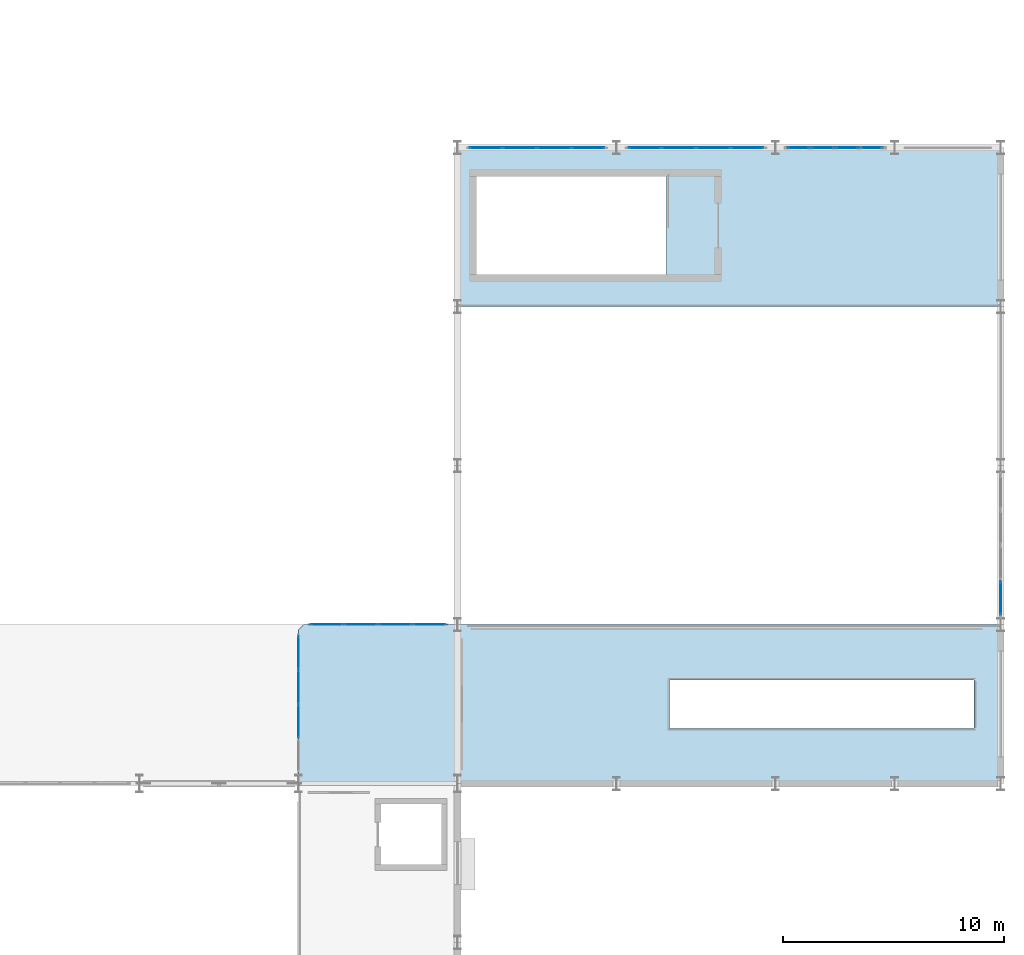
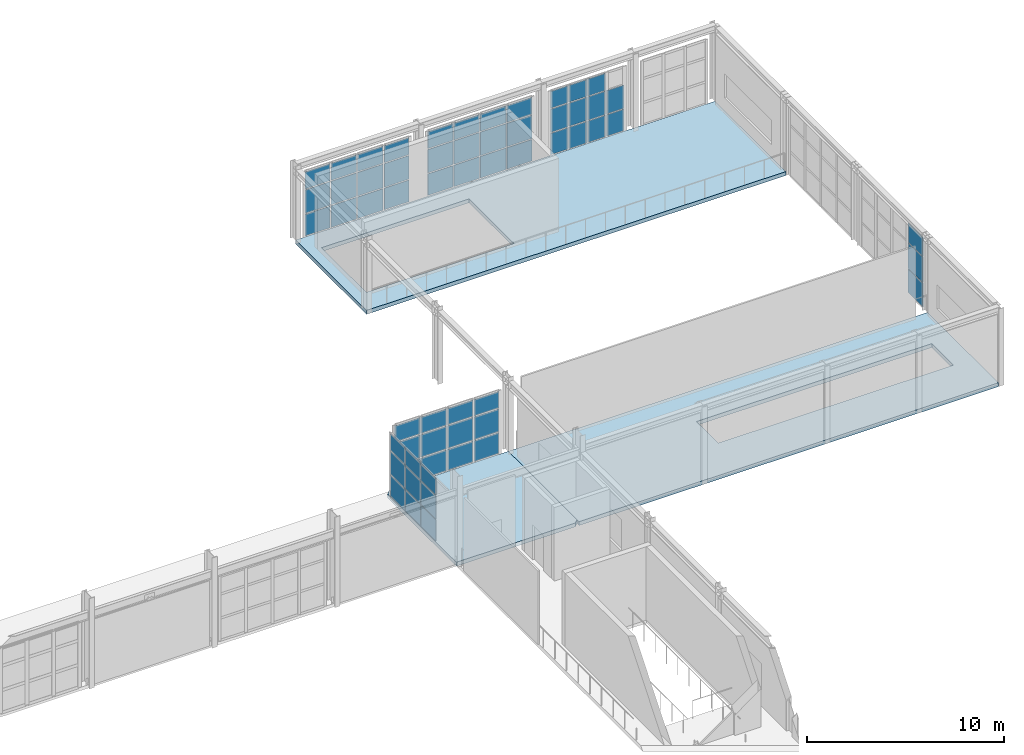
# One storey, part 96 of 126: 59 plates, 3 slabs, 6 elements without a shape of their own.
"""IFC4 building model written with IfcOpenShell, lengths in metres."""

from ifc_helpers import new_model, si_unit, direction, frame, origin, origin_2d, place, context, subcontext, project, spatial, polyline, rectangle, outline, extrude, material, layer, layer_set, type_object, element, aggregate, save


model = new_model("IFC4")

# Units and contexts
model_context = context("Model", 3, precision=1e-05, world=origin(), true_north=direction((0.0, 1.0)))
body_context = subcontext(model_context, "Body", "Model", "MODEL_VIEW")
ifc_project = project(units=[si_unit("LENGTHUNIT", "METRE"), si_unit("AREAUNIT", "SQUARE_METRE"), si_unit("VOLUMEUNIT", "CUBIC_METRE"), si_unit("PLANEANGLEUNIT", "RADIAN"), si_unit("MASSUNIT", "GRAM", prefix="KILO")], contexts=[model_context])

# Site, building, storey
site_placement = place(None, origin())
site = spatial("IfcSite", under=ifc_project, at=site_placement, CompositionType="ELEMENT")
building_placement = place(site_placement, origin())
building = spatial("IfcBuilding", under=site, at=building_placement, Name="Solvadek Multi-Sports Hall", CompositionType="ELEMENT")
storey_placement = place(building_placement, frame((0.0, 0.0, 9.60009765625)))
storey = spatial("IfcBuildingStorey", under=building, at=storey_placement, Name="L02", CompositionType="ELEMENT", Elevation=9.60009765625)

# Curtain wall, plates
ifc_material_1 = material(Name="Anodised aluminium", Category="aluminium")
ifc_layer_1 = layer(ifc_material_1, 0.159912109375, Name="Anodised aluminium")
ifc_layer_set_1 = layer_set([ifc_layer_1], Name="Anodised aluminium")
curtain_wall_type_1 = type_object("IfcCurtainWallType", Name="ENV-CW-624X400", PredefinedType="USERDEFINED", material=ifc_layer_set_1)
curtain_wall_1_placement = place(storey_placement, origin())
curtain_wall_1 = element("IfcCurtainWall", 1, at=curtain_wall_1_placement, inside=storey, type_object=curtain_wall_type_1, Name="L02 Perimeter Bay Curtain Wall #210", ObjectType="CURTAIN WALL", PredefinedType="USERDEFINED")
ifc_material_2 = material(Name="Tempered laminated low-E glass", Category="glass")
ifc_layer_2 = layer(ifc_material_2, 0.02392578125, Name="Tempered laminated low-E glass")
ifc_layer_set_2 = layer_set([ifc_layer_2], Name="Tempered laminated low-E glass")
plate_type_1 = type_object("IfcPlateType", Name="ENV-CWP-01", PredefinedType="CURTAIN_PANEL", material=ifc_layer_set_2)
plate_1_placement = place(storey_placement, frame((129.60009765625, 44.820068359375, 0.06494140625), z_axis=(0.0, 0.0, 1.0), x_axis=(0.0, 1.0, 0.0)))
plate_1 = element("IfcPlate", 2, at=plate_1_placement, type_object=plate_type_1, Name="CW-56 panel 2.1", PredefinedType="CURTAIN_PANEL", context=body_context, shape_type="SweptSolid", body=[
    extrude(rectangle(XDim=1.5, YDim=0.02392578125, at=origin_2d()), origin(), (0.0, 0.0, 1.0), 1.302490234375),
])
plate_2_placement = place(storey_placement, frame((129.60009765625, 44.820068359375, 1.432373046875), z_axis=(0.0, 0.0, 1.0), x_axis=(0.0, 1.0, 0.0)))
plate_2 = element("IfcPlate", 3, at=plate_2_placement, type_object=plate_type_1, Name="CW-56 panel 2.2", PredefinedType="CURTAIN_PANEL", context=body_context, shape_type="SweptSolid", body=[
    extrude(rectangle(XDim=1.5, YDim=0.02392578125, at=origin_2d()), origin(), (0.0, 0.0, 1.0), 1.4150390625),
])
plate_3_placement = place(storey_placement, frame((129.60009765625, 44.820068359375, 2.912353515625), z_axis=(0.0, 0.0, 1.0), x_axis=(0.0, 1.0, 0.0)))
plate_3 = element("IfcPlate", 4, at=plate_3_placement, type_object=plate_type_1, Name="CW-56 panel 2.3", PredefinedType="CURTAIN_PANEL", context=body_context, shape_type="SweptSolid", body=[
    extrude(rectangle(XDim=1.5, YDim=0.02392578125, at=origin_2d()), origin(), (0.0, 0.0, 1.0), 1.0224609375),
])
plate_4_placement = place(storey_placement, frame((129.60009765625, 46.3798828125, 0.06494140625), z_axis=(0.0, 0.0, 1.0), x_axis=(0.0, 1.0, 0.0)))
plate_4 = element("IfcPlate", 5, at=plate_4_placement, type_object=plate_type_1, Name="CW-56 panel 3.1", PredefinedType="CURTAIN_PANEL", context=body_context, shape_type="SweptSolid", body=[
    extrude(rectangle(XDim=1.5, YDim=0.02392578125, at=origin_2d()), origin(), (0.0, 0.0, 1.0), 1.302490234375),
])
plate_5_placement = place(storey_placement, frame((129.60009765625, 46.3798828125, 1.432373046875), z_axis=(0.0, 0.0, 1.0), x_axis=(0.0, 1.0, 0.0)))
plate_5 = element("IfcPlate", 6, at=plate_5_placement, type_object=plate_type_1, Name="CW-56 panel 3.2", PredefinedType="CURTAIN_PANEL", context=body_context, shape_type="SweptSolid", body=[
    extrude(rectangle(XDim=1.5, YDim=0.02392578125, at=origin_2d()), origin(), (0.0, 0.0, 1.0), 1.4150390625),
])
plate_6_placement = place(storey_placement, frame((129.60009765625, 46.3798828125, 2.912353515625), z_axis=(0.0, 0.0, 1.0), x_axis=(0.0, 1.0, 0.0)))
plate_6 = element("IfcPlate", 7, at=plate_6_placement, type_object=plate_type_1, Name="CW-56 panel 3.3", PredefinedType="CURTAIN_PANEL", context=body_context, shape_type="SweptSolid", body=[
    extrude(rectangle(XDim=1.5, YDim=0.02392578125, at=origin_2d()), origin(), (0.0, 0.0, 1.0), 1.0224609375),
])
plate_7_placement = place(storey_placement, frame((129.60009765625, 47.925048828125, 0.06494140625), z_axis=(0.0, 0.0, 1.0), x_axis=(0.0, 1.0, 0.0)))
plate_7 = element("IfcPlate", 8, at=plate_7_placement, type_object=plate_type_1, Name="CW-56 panel 4.1", PredefinedType="CURTAIN_PANEL", context=body_context, shape_type="SweptSolid", body=[
    extrude(rectangle(XDim=1.469970703125, YDim=0.02392578125, at=origin_2d()), origin(), (0.0, 0.0, 1.0), 1.302490234375),
])
plate_8_placement = place(storey_placement, frame((129.60009765625, 47.925048828125, 1.432373046875), z_axis=(0.0, 0.0, 1.0), x_axis=(0.0, 1.0, 0.0)))
plate_8 = element("IfcPlate", 9, at=plate_8_placement, type_object=plate_type_1, Name="CW-56 panel 4.2", PredefinedType="CURTAIN_PANEL", context=body_context, shape_type="SweptSolid", body=[
    extrude(rectangle(XDim=1.469970703125, YDim=0.02392578125, at=origin_2d()), origin(), (0.0, 0.0, 1.0), 1.4150390625),
])
plate_9_placement = place(storey_placement, frame((129.60009765625, 47.925048828125, 2.912353515625), z_axis=(0.0, 0.0, 1.0), x_axis=(0.0, 1.0, 0.0)))
plate_9 = element("IfcPlate", 10, at=plate_9_placement, type_object=plate_type_1, Name="CW-56 panel 4.3", PredefinedType="CURTAIN_PANEL", context=body_context, shape_type="SweptSolid", body=[
    extrude(rectangle(XDim=1.469970703125, YDim=0.02392578125, at=origin_2d()), origin(), (0.0, 0.0, 1.0), 1.0224609375),
])
aggregate(curtain_wall_1, [plate_1, plate_2, plate_3, plate_4, plate_5, plate_6, plate_7, plate_8, plate_9])

ifc_layer_3 = layer(ifc_material_1, 0.159912109375, Name="Anodised aluminium")
ifc_layer_set_3 = layer_set([ifc_layer_3], Name="Anodised aluminium")
curtain_wall_type_2 = type_object("IfcCurtainWallType", Name="ENV-CW-624X397", PredefinedType="USERDEFINED", material=ifc_layer_set_3)
curtain_wall_2_placement = place(storey_placement, origin())
curtain_wall_2 = element("IfcCurtainWall", 11, at=curtain_wall_2_placement, inside=storey, type_object=curtain_wall_type_2, Name="L02 Perimeter Bay Curtain Wall #211", ObjectType="CURTAIN WALL", PredefinedType="USERDEFINED")
ifc_layer_4 = layer(ifc_material_2, 0.028076171875, Name="Tempered laminated low-E glass")
ifc_layer_set_4 = layer_set([ifc_layer_4], Name="Tempered laminated low-E glass")
plate_type_2 = type_object("IfcPlateType", Name="ENV-CWP-02", PredefinedType="CURTAIN_PANEL", material=ifc_layer_set_4)
plate_10_placement = place(storey_placement, frame((130.876220703125, 49.199951171875, 0.06494140625), z_axis=(0.0, 0.0, 1.0), x_axis=(1.0, 0.0, 0.0)))
plate_10 = element("IfcPlate", 12, at=plate_10_placement, type_object=plate_type_2, Name="CW-57 panel 1.1", PredefinedType="CURTAIN_PANEL", context=body_context, shape_type="SweptSolid", body=[
    extrude(rectangle(XDim=1.46240234375, YDim=0.028076171875, at=origin_2d()), origin(), (0.0, 0.0, 1.0), 1.29345703125),
])
plate_11_placement = place(storey_placement, frame((130.876220703125, 49.199951171875, 1.42333984375), z_axis=(0.0, 0.0, 1.0), x_axis=(1.0, 0.0, 0.0)))
plate_11 = element("IfcPlate", 13, at=plate_11_placement, type_object=plate_type_2, Name="CW-57 panel 1.2", PredefinedType="CURTAIN_PANEL", context=body_context, shape_type="SweptSolid", body=[
    extrude(rectangle(XDim=1.46240234375, YDim=0.028076171875, at=origin_2d()), origin(), (0.0, 0.0, 1.0), 1.406005859375),
])
plate_12_placement = place(storey_placement, frame((130.876220703125, 49.199951171875, 2.89453125), z_axis=(0.0, 0.0, 1.0), x_axis=(1.0, 0.0, 0.0)))
plate_12 = element("IfcPlate", 14, at=plate_12_placement, type_object=plate_type_2, Name="CW-57 panel 1.3", PredefinedType="CURTAIN_PANEL", context=body_context, shape_type="SweptSolid", body=[
    extrude(rectangle(XDim=1.46240234375, YDim=0.028076171875, at=origin_2d()), origin(), (0.0, 0.0, 1.0), 1.015380859375),
])
plate_13_placement = place(storey_placement, frame((132.419921875, 49.199951171875, 0.06494140625), z_axis=(0.0, 0.0, 1.0), x_axis=(1.0, 0.0, 0.0)))
plate_13 = element("IfcPlate", 15, at=plate_13_placement, type_object=plate_type_2, Name="CW-57 panel 2.1", PredefinedType="CURTAIN_PANEL", context=body_context, shape_type="SweptSolid", body=[
    extrude(rectangle(XDim=1.4951171875, YDim=0.028076171875, at=origin_2d()), origin(), (0.0, 0.0, 1.0), 1.29345703125),
])
plate_14_placement = place(storey_placement, frame((132.419921875, 49.199951171875, 1.42333984375), z_axis=(0.0, 0.0, 1.0), x_axis=(1.0, 0.0, 0.0)))
plate_14 = element("IfcPlate", 16, at=plate_14_placement, type_object=plate_type_2, Name="CW-57 panel 2.2", PredefinedType="CURTAIN_PANEL", context=body_context, shape_type="SweptSolid", body=[
    extrude(rectangle(XDim=1.4951171875, YDim=0.028076171875, at=origin_2d()), origin(), (0.0, 0.0, 1.0), 1.406005859375),
])
plate_15_placement = place(storey_placement, frame((132.419921875, 49.199951171875, 2.89453125), z_axis=(0.0, 0.0, 1.0), x_axis=(1.0, 0.0, 0.0)))
plate_15 = element("IfcPlate", 17, at=plate_15_placement, type_object=plate_type_2, Name="CW-57 panel 2.3", PredefinedType="CURTAIN_PANEL", context=body_context, shape_type="SweptSolid", body=[
    extrude(rectangle(XDim=1.4951171875, YDim=0.028076171875, at=origin_2d()), origin(), (0.0, 0.0, 1.0), 1.015380859375),
])
plate_16_placement = place(storey_placement, frame((133.97998046875, 49.199951171875, 0.06494140625), z_axis=(0.0, 0.0, 1.0), x_axis=(1.0, 0.0, 0.0)))
plate_16 = element("IfcPlate", 18, at=plate_16_placement, type_object=plate_type_2, Name="CW-57 panel 3.1", PredefinedType="CURTAIN_PANEL", context=body_context, shape_type="SweptSolid", body=[
    extrude(rectangle(XDim=1.4951171875, YDim=0.028076171875, at=origin_2d()), origin(), (0.0, 0.0, 1.0), 1.29345703125),
])
plate_17_placement = place(storey_placement, frame((133.97998046875, 49.199951171875, 1.42333984375), z_axis=(0.0, 0.0, 1.0), x_axis=(1.0, 0.0, 0.0)))
plate_17 = element("IfcPlate", 19, at=plate_17_placement, type_object=plate_type_2, Name="CW-57 panel 3.2", PredefinedType="CURTAIN_PANEL", context=body_context, shape_type="SweptSolid", body=[
    extrude(rectangle(XDim=1.4951171875, YDim=0.028076171875, at=origin_2d()), origin(), (0.0, 0.0, 1.0), 1.406005859375),
])
plate_18_placement = place(storey_placement, frame((133.97998046875, 49.199951171875, 2.89453125), z_axis=(0.0, 0.0, 1.0), x_axis=(1.0, 0.0, 0.0)))
plate_18 = element("IfcPlate", 20, at=plate_18_placement, type_object=plate_type_2, Name="CW-57 panel 3.3", PredefinedType="CURTAIN_PANEL", context=body_context, shape_type="SweptSolid", body=[
    extrude(rectangle(XDim=1.4951171875, YDim=0.028076171875, at=origin_2d()), origin(), (0.0, 0.0, 1.0), 1.015380859375),
])
plate_19_placement = place(storey_placement, frame((135.523681640625, 49.199951171875, 0.06494140625), z_axis=(0.0, 0.0, 1.0), x_axis=(1.0, 0.0, 0.0)))
plate_19 = element("IfcPlate", 21, at=plate_19_placement, type_object=plate_type_2, Name="CW-57 panel 4.1", PredefinedType="CURTAIN_PANEL", context=body_context, shape_type="SweptSolid", body=[
    extrude(rectangle(XDim=1.46240234375, YDim=0.028076171875, at=origin_2d()), origin(), (0.0, 0.0, 1.0), 1.29345703125),
])
plate_20_placement = place(storey_placement, frame((135.523681640625, 49.199951171875, 1.42333984375), z_axis=(0.0, 0.0, 1.0), x_axis=(1.0, 0.0, 0.0)))
plate_20 = element("IfcPlate", 22, at=plate_20_placement, type_object=plate_type_2, Name="CW-57 panel 4.2", PredefinedType="CURTAIN_PANEL", context=body_context, shape_type="SweptSolid", body=[
    extrude(rectangle(XDim=1.46240234375, YDim=0.028076171875, at=origin_2d()), origin(), (0.0, 0.0, 1.0), 1.406005859375),
])
plate_21_placement = place(storey_placement, frame((135.523681640625, 49.199951171875, 2.89453125), z_axis=(0.0, 0.0, 1.0), x_axis=(1.0, 0.0, 0.0)))
plate_21 = element("IfcPlate", 23, at=plate_21_placement, type_object=plate_type_2, Name="CW-57 panel 4.3", PredefinedType="CURTAIN_PANEL", context=body_context, shape_type="SweptSolid", body=[
    extrude(rectangle(XDim=1.46240234375, YDim=0.028076171875, at=origin_2d()), origin(), (0.0, 0.0, 1.0), 1.015380859375),
])
aggregate(curtain_wall_2, [plate_10, plate_11, plate_12, plate_13, plate_14, plate_15, plate_16, plate_17, plate_18, plate_19, plate_20, plate_21])

ifc_layer_5 = layer(ifc_material_1, 0.159912109375, Name="Anodised aluminium")
ifc_layer_set_5 = layer_set([ifc_layer_5], Name="Anodised aluminium")
curtain_wall_type_3 = type_object("IfcCurtainWallType", Name="ENV-CW-624X410", PredefinedType="USERDEFINED", material=ifc_layer_set_5)
curtain_wall_3_placement = place(storey_placement, origin())
curtain_wall_3 = element("IfcCurtainWall", 24, at=curtain_wall_3_placement, inside=storey, type_object=curtain_wall_type_3, Name="L02 Perimeter Bay Curtain Wall #131", ObjectType="CURTAIN WALL", PredefinedType="USERDEFINED")
ifc_layer_6 = layer(ifc_material_2, 0.031982421875, Name="Tempered laminated low-E glass")
ifc_layer_set_6 = layer_set([ifc_layer_6], Name="Tempered laminated low-E glass")
plate_type_3 = type_object("IfcPlateType", Name="ENV-CWP-03", PredefinedType="CURTAIN_PANEL", material=ifc_layer_set_6)
plate_22_placement = place(storey_placement, frame((138.076171875, 70.800048828125, 0.06494140625), z_axis=(0.0, 0.0, 1.0), x_axis=(1.0, 0.0, 0.0)))
plate_22 = element("IfcPlate", 25, at=plate_22_placement, type_object=plate_type_3, Name="CW-39 panel 1.1", PredefinedType="CURTAIN_PANEL", context=body_context, shape_type="SweptSolid", body=[
    extrude(rectangle(XDim=1.46240234375, YDim=0.031982421875, at=origin_2d()), origin(), (0.0, 0.0, 1.0), 1.33740234375),
])
plate_23_placement = place(storey_placement, frame((138.076171875, 70.800048828125, 1.46728515625), z_axis=(0.0, 0.0, 1.0), x_axis=(1.0, 0.0, 0.0)))
plate_23 = element("IfcPlate", 26, at=plate_23_placement, type_object=plate_type_3, Name="CW-39 panel 1.2", PredefinedType="CURTAIN_PANEL", context=body_context, shape_type="SweptSolid", body=[
    extrude(rectangle(XDim=1.46240234375, YDim=0.031982421875, at=origin_2d()), origin(), (0.0, 0.0, 1.0), 1.451904296875),
])
plate_24_placement = place(storey_placement, frame((138.076171875, 70.800048828125, 2.984375), z_axis=(0.0, 0.0, 1.0), x_axis=(1.0, 0.0, 0.0)))
plate_24 = element("IfcPlate", 27, at=plate_24_placement, type_object=plate_type_3, Name="CW-39 panel 1.3", PredefinedType="CURTAIN_PANEL", context=body_context, shape_type="SweptSolid", body=[
    extrude(rectangle(XDim=1.46240234375, YDim=0.031982421875, at=origin_2d()), origin(), (0.0, 0.0, 1.0), 1.050537109375),
])
plate_25_placement = place(storey_placement, frame((139.6201171875, 70.800048828125, 0.06494140625), z_axis=(0.0, 0.0, 1.0), x_axis=(1.0, 0.0, 0.0)))
plate_25 = element("IfcPlate", 28, at=plate_25_placement, type_object=plate_type_3, Name="CW-39 panel 2.1", PredefinedType="CURTAIN_PANEL", context=body_context, shape_type="SweptSolid", body=[
    extrude(rectangle(XDim=1.4951171875, YDim=0.031982421875, at=origin_2d()), origin(), (0.0, 0.0, 1.0), 1.33740234375),
])
plate_26_placement = place(storey_placement, frame((139.6201171875, 70.800048828125, 1.46728515625), z_axis=(0.0, 0.0, 1.0), x_axis=(1.0, 0.0, 0.0)))
plate_26 = element("IfcPlate", 29, at=plate_26_placement, type_object=plate_type_3, Name="CW-39 panel 2.2", PredefinedType="CURTAIN_PANEL", context=body_context, shape_type="SweptSolid", body=[
    extrude(rectangle(XDim=1.4951171875, YDim=0.031982421875, at=origin_2d()), origin(), (0.0, 0.0, 1.0), 1.451904296875),
])
plate_27_placement = place(storey_placement, frame((139.6201171875, 70.800048828125, 2.984375), z_axis=(0.0, 0.0, 1.0), x_axis=(1.0, 0.0, 0.0)))
plate_27 = element("IfcPlate", 30, at=plate_27_placement, type_object=plate_type_3, Name="CW-39 panel 2.3", PredefinedType="CURTAIN_PANEL", context=body_context, shape_type="SweptSolid", body=[
    extrude(rectangle(XDim=1.4951171875, YDim=0.031982421875, at=origin_2d()), origin(), (0.0, 0.0, 1.0), 1.050537109375),
])
plate_28_placement = place(storey_placement, frame((141.179931640625, 70.800048828125, 0.06494140625), z_axis=(0.0, 0.0, 1.0), x_axis=(1.0, 0.0, 0.0)))
plate_28 = element("IfcPlate", 31, at=plate_28_placement, type_object=plate_type_3, Name="CW-39 panel 3.1", PredefinedType="CURTAIN_PANEL", context=body_context, shape_type="SweptSolid", body=[
    extrude(rectangle(XDim=1.4951171875, YDim=0.031982421875, at=origin_2d()), origin(), (0.0, 0.0, 1.0), 1.33740234375),
])
plate_29_placement = place(storey_placement, frame((141.179931640625, 70.800048828125, 1.46728515625), z_axis=(0.0, 0.0, 1.0), x_axis=(1.0, 0.0, 0.0)))
plate_29 = element("IfcPlate", 32, at=plate_29_placement, type_object=plate_type_3, Name="CW-39 panel 3.2", PredefinedType="CURTAIN_PANEL", context=body_context, shape_type="SweptSolid", body=[
    extrude(rectangle(XDim=1.4951171875, YDim=0.031982421875, at=origin_2d()), origin(), (0.0, 0.0, 1.0), 1.451904296875),
])
plate_30_placement = place(storey_placement, frame((141.179931640625, 70.800048828125, 2.984375), z_axis=(0.0, 0.0, 1.0), x_axis=(1.0, 0.0, 0.0)))
plate_30 = element("IfcPlate", 33, at=plate_30_placement, type_object=plate_type_3, Name="CW-39 panel 3.3", PredefinedType="CURTAIN_PANEL", context=body_context, shape_type="SweptSolid", body=[
    extrude(rectangle(XDim=1.4951171875, YDim=0.031982421875, at=origin_2d()), origin(), (0.0, 0.0, 1.0), 1.050537109375),
])
plate_31_placement = place(storey_placement, frame((142.7236328125, 70.800048828125, 0.06494140625), z_axis=(0.0, 0.0, 1.0), x_axis=(1.0, 0.0, 0.0)))
plate_31 = element("IfcPlate", 34, at=plate_31_placement, type_object=plate_type_3, Name="CW-39 panel 4.1", PredefinedType="CURTAIN_PANEL", context=body_context, shape_type="SweptSolid", body=[
    extrude(rectangle(XDim=1.46240234375, YDim=0.031982421875, at=origin_2d()), origin(), (0.0, 0.0, 1.0), 1.33740234375),
])
plate_32_placement = place(storey_placement, frame((142.7236328125, 70.800048828125, 1.46728515625), z_axis=(0.0, 0.0, 1.0), x_axis=(1.0, 0.0, 0.0)))
plate_32 = element("IfcPlate", 35, at=plate_32_placement, type_object=plate_type_3, Name="CW-39 panel 4.2", PredefinedType="CURTAIN_PANEL", context=body_context, shape_type="SweptSolid", body=[
    extrude(rectangle(XDim=1.46240234375, YDim=0.031982421875, at=origin_2d()), origin(), (0.0, 0.0, 1.0), 1.451904296875),
])
plate_33_placement = place(storey_placement, frame((142.7236328125, 70.800048828125, 2.984375), z_axis=(0.0, 0.0, 1.0), x_axis=(1.0, 0.0, 0.0)))
plate_33 = element("IfcPlate", 36, at=plate_33_placement, type_object=plate_type_3, Name="CW-39 panel 4.3", PredefinedType="CURTAIN_PANEL", context=body_context, shape_type="SweptSolid", body=[
    extrude(rectangle(XDim=1.46240234375, YDim=0.031982421875, at=origin_2d()), origin(), (0.0, 0.0, 1.0), 1.050537109375),
])
aggregate(curtain_wall_3, [plate_22, plate_23, plate_24, plate_25, plate_26, plate_27, plate_28, plate_29, plate_30, plate_31, plate_32, plate_33])

ifc_layer_7 = layer(ifc_material_1, 0.159912109375, Name="Anodised aluminium")
ifc_layer_set_7 = layer_set([ifc_layer_7], Name="Anodised aluminium")
curtain_wall_type_4 = type_object("IfcCurtainWallType", Name="ENV-CW-624X408", PredefinedType="USERDEFINED", material=ifc_layer_set_7)
curtain_wall_4_placement = place(storey_placement, origin())
curtain_wall_4 = element("IfcCurtainWall", 37, at=curtain_wall_4_placement, inside=storey, type_object=curtain_wall_type_4, Name="L02 Perimeter Bay Curtain Wall #134", ObjectType="CURTAIN WALL", PredefinedType="USERDEFINED")
ifc_layer_8 = layer(ifc_material_2, 0.035888671875, Name="Tempered laminated low-E glass")
ifc_layer_set_8 = layer_set([ifc_layer_8], Name="Tempered laminated low-E glass")
plate_type_4 = type_object("IfcPlateType", Name="ENV-CWP-04", PredefinedType="CURTAIN_PANEL", material=ifc_layer_set_8)
plate_34_placement = place(storey_placement, frame((145.2763671875, 70.800048828125, 0.06494140625), z_axis=(0.0, 0.0, 1.0), x_axis=(1.0, 0.0, 0.0)))
plate_34 = element("IfcPlate", 38, at=plate_34_placement, type_object=plate_type_4, Name="CW-40 panel 1.1", PredefinedType="CURTAIN_PANEL", context=body_context, shape_type="SweptSolid", body=[
    extrude(rectangle(XDim=1.46240234375, YDim=0.035888671875, at=origin_2d()), origin(), (0.0, 0.0, 1.0), 1.32861328125),
])
plate_35_placement = place(storey_placement, frame((145.2763671875, 70.800048828125, 1.45849609375), z_axis=(0.0, 0.0, 1.0), x_axis=(1.0, 0.0, 0.0)))
plate_35 = element("IfcPlate", 39, at=plate_35_placement, type_object=plate_type_4, Name="CW-40 panel 1.2", PredefinedType="CURTAIN_PANEL", context=body_context, shape_type="SweptSolid", body=[
    extrude(rectangle(XDim=1.46240234375, YDim=0.035888671875, at=origin_2d()), origin(), (0.0, 0.0, 1.0), 1.443115234375),
])
plate_36_placement = place(storey_placement, frame((145.2763671875, 70.800048828125, 2.96630859375), z_axis=(0.0, 0.0, 1.0), x_axis=(1.0, 0.0, 0.0)))
plate_36 = element("IfcPlate", 40, at=plate_36_placement, type_object=plate_type_4, Name="CW-40 panel 1.3", PredefinedType="CURTAIN_PANEL", context=body_context, shape_type="SweptSolid", body=[
    extrude(rectangle(XDim=1.46240234375, YDim=0.035888671875, at=origin_2d()), origin(), (0.0, 0.0, 1.0), 1.04345703125),
])
plate_37_placement = place(storey_placement, frame((146.820068359375, 70.800048828125, 0.06494140625), z_axis=(0.0, 0.0, 1.0), x_axis=(1.0, 0.0, 0.0)))
plate_37 = element("IfcPlate", 41, at=plate_37_placement, type_object=plate_type_4, Name="CW-40 panel 2.1", PredefinedType="CURTAIN_PANEL", context=body_context, shape_type="SweptSolid", body=[
    extrude(rectangle(XDim=1.4951171875, YDim=0.035888671875, at=origin_2d()), origin(), (0.0, 0.0, 1.0), 1.32861328125),
])
plate_38_placement = place(storey_placement, frame((146.820068359375, 70.800048828125, 1.45849609375), z_axis=(0.0, 0.0, 1.0), x_axis=(1.0, 0.0, 0.0)))
plate_38 = element("IfcPlate", 42, at=plate_38_placement, type_object=plate_type_4, Name="CW-40 panel 2.2", PredefinedType="CURTAIN_PANEL", context=body_context, shape_type="SweptSolid", body=[
    extrude(rectangle(XDim=1.4951171875, YDim=0.035888671875, at=origin_2d()), origin(), (0.0, 0.0, 1.0), 1.443115234375),
])
plate_39_placement = place(storey_placement, frame((146.820068359375, 70.800048828125, 2.96630859375), z_axis=(0.0, 0.0, 1.0), x_axis=(1.0, 0.0, 0.0)))
plate_39 = element("IfcPlate", 43, at=plate_39_placement, type_object=plate_type_4, Name="CW-40 panel 2.3", PredefinedType="CURTAIN_PANEL", context=body_context, shape_type="SweptSolid", body=[
    extrude(rectangle(XDim=1.4951171875, YDim=0.035888671875, at=origin_2d()), origin(), (0.0, 0.0, 1.0), 1.04345703125),
])
plate_40_placement = place(storey_placement, frame((148.3798828125, 70.800048828125, 0.06494140625), z_axis=(0.0, 0.0, 1.0), x_axis=(1.0, 0.0, 0.0)))
plate_40 = element("IfcPlate", 44, at=plate_40_placement, type_object=plate_type_4, Name="CW-40 panel 3.1", PredefinedType="CURTAIN_PANEL", context=body_context, shape_type="SweptSolid", body=[
    extrude(rectangle(XDim=1.4951171875, YDim=0.035888671875, at=origin_2d()), origin(), (0.0, 0.0, 1.0), 1.32861328125),
])
plate_41_placement = place(storey_placement, frame((148.3798828125, 70.800048828125, 1.45849609375), z_axis=(0.0, 0.0, 1.0), x_axis=(1.0, 0.0, 0.0)))
plate_41 = element("IfcPlate", 45, at=plate_41_placement, type_object=plate_type_4, Name="CW-40 panel 3.2", PredefinedType="CURTAIN_PANEL", context=body_context, shape_type="SweptSolid", body=[
    extrude(rectangle(XDim=1.4951171875, YDim=0.035888671875, at=origin_2d()), origin(), (0.0, 0.0, 1.0), 1.443115234375),
])
plate_42_placement = place(storey_placement, frame((148.3798828125, 70.800048828125, 2.96630859375), z_axis=(0.0, 0.0, 1.0), x_axis=(1.0, 0.0, 0.0)))
plate_42 = element("IfcPlate", 46, at=plate_42_placement, type_object=plate_type_4, Name="CW-40 panel 3.3", PredefinedType="CURTAIN_PANEL", context=body_context, shape_type="SweptSolid", body=[
    extrude(rectangle(XDim=1.4951171875, YDim=0.035888671875, at=origin_2d()), origin(), (0.0, 0.0, 1.0), 1.04345703125),
])
plate_43_placement = place(storey_placement, frame((149.923828125, 70.800048828125, 0.06494140625), z_axis=(0.0, 0.0, 1.0), x_axis=(1.0, 0.0, 0.0)))
plate_43 = element("IfcPlate", 47, at=plate_43_placement, type_object=plate_type_4, Name="CW-40 panel 4.1", PredefinedType="CURTAIN_PANEL", context=body_context, shape_type="SweptSolid", body=[
    extrude(rectangle(XDim=1.46240234375, YDim=0.035888671875, at=origin_2d()), origin(), (0.0, 0.0, 1.0), 1.32861328125),
])
plate_44_placement = place(storey_placement, frame((149.923828125, 70.800048828125, 1.45849609375), z_axis=(0.0, 0.0, 1.0), x_axis=(1.0, 0.0, 0.0)))
plate_44 = element("IfcPlate", 48, at=plate_44_placement, type_object=plate_type_4, Name="CW-40 panel 4.2", PredefinedType="CURTAIN_PANEL", context=body_context, shape_type="SweptSolid", body=[
    extrude(rectangle(XDim=1.46240234375, YDim=0.035888671875, at=origin_2d()), origin(), (0.0, 0.0, 1.0), 1.443115234375),
])
plate_45_placement = place(storey_placement, frame((149.923828125, 70.800048828125, 2.96630859375), z_axis=(0.0, 0.0, 1.0), x_axis=(1.0, 0.0, 0.0)))
plate_45 = element("IfcPlate", 49, at=plate_45_placement, type_object=plate_type_4, Name="CW-40 panel 4.3", PredefinedType="CURTAIN_PANEL", context=body_context, shape_type="SweptSolid", body=[
    extrude(rectangle(XDim=1.46240234375, YDim=0.035888671875, at=origin_2d()), origin(), (0.0, 0.0, 1.0), 1.04345703125),
])
aggregate(curtain_wall_4, [plate_34, plate_35, plate_36, plate_37, plate_38, plate_39, plate_40, plate_41, plate_42, plate_43, plate_44, plate_45])

ifc_layer_9 = layer(ifc_material_1, 0.159912109375, Name="Anodised aluminium")
ifc_layer_set_9 = layer_set([ifc_layer_9], Name="Anodised aluminium")
curtain_wall_type_5 = type_object("IfcCurtainWallType", Name="ENV-CW-444X405", PredefinedType="USERDEFINED", material=ifc_layer_set_9)
curtain_wall_5_placement = place(storey_placement, origin())
curtain_wall_5 = element("IfcCurtainWall", 50, at=curtain_wall_5_placement, inside=storey, type_object=curtain_wall_type_5, Name="L02 Perimeter Bay Curtain Wall #138", ObjectType="CURTAIN WALL", PredefinedType="USERDEFINED")
ifc_layer_10 = layer(ifc_material_2, 0.0419921875, Name="Tempered laminated low-E glass")
ifc_layer_set_10 = layer_set([ifc_layer_10], Name="Tempered laminated low-E glass")
plate_type_5 = type_object("IfcPlateType", Name="ENV-CWP-05", PredefinedType="CURTAIN_PANEL", material=ifc_layer_set_10)
plate_46_placement = place(storey_placement, frame((152.25244140625, 70.800048828125, 0.06005859375), z_axis=(0.0, 0.0, 1.0), x_axis=(1.0, 0.0, 0.0)))
plate_46 = element("IfcPlate", 51, at=plate_46_placement, type_object=plate_type_5, Name="CW-46 panel 1.1", PredefinedType="CURTAIN_PANEL", context=body_context, shape_type="SweptSolid", body=[
    extrude(rectangle(XDim=1.0048828125, YDim=0.0419921875, at=origin_2d()), origin(), (0.0, 0.0, 1.0), 1.327880859375),
])
plate_47_placement = place(storey_placement, frame((152.25244140625, 70.800048828125, 1.447998046875), z_axis=(0.0, 0.0, 1.0), x_axis=(1.0, 0.0, 0.0)))
plate_47 = element("IfcPlate", 52, at=plate_47_placement, type_object=plate_type_5, Name="CW-46 panel 1.2", PredefinedType="CURTAIN_PANEL", context=body_context, shape_type="SweptSolid", body=[
    extrude(rectangle(XDim=1.0048828125, YDim=0.0419921875, at=origin_2d()), origin(), (0.0, 0.0, 1.0), 1.43798828125),
])
plate_48_placement = place(storey_placement, frame((152.25244140625, 70.800048828125, 2.946044921875), z_axis=(0.0, 0.0, 1.0), x_axis=(1.0, 0.0, 0.0)))
plate_48 = element("IfcPlate", 53, at=plate_48_placement, type_object=plate_type_5, Name="CW-46 panel 1.3", PredefinedType="CURTAIN_PANEL", context=body_context, shape_type="SweptSolid", body=[
    extrude(rectangle(XDim=1.0048828125, YDim=0.0419921875, at=origin_2d()), origin(), (0.0, 0.0, 1.0), 1.0439453125),
])
plate_49_placement = place(storey_placement, frame((153.344970703125, 70.800048828125, 0.06005859375), z_axis=(0.0, 0.0, 1.0), x_axis=(1.0, 0.0, 0.0)))
plate_49 = element("IfcPlate", 54, at=plate_49_placement, type_object=plate_type_5, Name="CW-46 panel 2.1", PredefinedType="CURTAIN_PANEL", context=body_context, shape_type="SweptSolid", body=[
    extrude(rectangle(XDim=1.0400390625, YDim=0.0419921875, at=origin_2d()), origin(), (0.0, 0.0, 1.0), 1.327880859375),
])
plate_50_placement = place(storey_placement, frame((153.344970703125, 70.800048828125, 1.447998046875), z_axis=(0.0, 0.0, 1.0), x_axis=(1.0, 0.0, 0.0)))
plate_50 = element("IfcPlate", 55, at=plate_50_placement, type_object=plate_type_5, Name="CW-46 panel 2.2", PredefinedType="CURTAIN_PANEL", context=body_context, shape_type="SweptSolid", body=[
    extrude(rectangle(XDim=1.0400390625, YDim=0.0419921875, at=origin_2d()), origin(), (0.0, 0.0, 1.0), 1.43798828125),
])
plate_51_placement = place(storey_placement, frame((153.344970703125, 70.800048828125, 2.946044921875), z_axis=(0.0, 0.0, 1.0), x_axis=(1.0, 0.0, 0.0)))
plate_51 = element("IfcPlate", 56, at=plate_51_placement, type_object=plate_type_5, Name="CW-46 panel 2.3", PredefinedType="CURTAIN_PANEL", context=body_context, shape_type="SweptSolid", body=[
    extrude(rectangle(XDim=1.0400390625, YDim=0.0419921875, at=origin_2d()), origin(), (0.0, 0.0, 1.0), 1.0439453125),
])
plate_52_placement = place(storey_placement, frame((154.455078125, 70.800048828125, 0.06005859375), z_axis=(0.0, 0.0, 1.0), x_axis=(1.0, 0.0, 0.0)))
plate_52 = element("IfcPlate", 57, at=plate_52_placement, type_object=plate_type_5, Name="CW-46 panel 3.1", PredefinedType="CURTAIN_PANEL", context=body_context, shape_type="SweptSolid", body=[
    extrude(rectangle(XDim=1.0400390625, YDim=0.0419921875, at=origin_2d()), origin(), (0.0, 0.0, 1.0), 1.327880859375),
])
plate_53_placement = place(storey_placement, frame((154.455078125, 70.800048828125, 1.447998046875), z_axis=(0.0, 0.0, 1.0), x_axis=(1.0, 0.0, 0.0)))
plate_53 = element("IfcPlate", 58, at=plate_53_placement, type_object=plate_type_5, Name="CW-46 panel 3.2", PredefinedType="CURTAIN_PANEL", context=body_context, shape_type="SweptSolid", body=[
    extrude(rectangle(XDim=1.0400390625, YDim=0.0419921875, at=origin_2d()), origin(), (0.0, 0.0, 1.0), 1.43798828125),
])
plate_54_placement = place(storey_placement, frame((154.455078125, 70.800048828125, 2.946044921875), z_axis=(0.0, 0.0, 1.0), x_axis=(1.0, 0.0, 0.0)))
plate_54 = element("IfcPlate", 59, at=plate_54_placement, type_object=plate_type_5, Name="CW-46 panel 3.3", PredefinedType="CURTAIN_PANEL", context=body_context, shape_type="SweptSolid", body=[
    extrude(rectangle(XDim=1.0400390625, YDim=0.0419921875, at=origin_2d()), origin(), (0.0, 0.0, 1.0), 1.0439453125),
])
plate_55_placement = place(storey_placement, frame((155.547607421875, 70.800048828125, 0.06005859375), z_axis=(0.0, 0.0, 1.0), x_axis=(1.0, 0.0, 0.0)))
plate_55 = element("IfcPlate", 60, at=plate_55_placement, type_object=plate_type_5, Name="CW-46 panel 4.1", PredefinedType="CURTAIN_PANEL", context=body_context, shape_type="SweptSolid", body=[
    extrude(rectangle(XDim=1.0048828125, YDim=0.0419921875, at=origin_2d()), origin(), (0.0, 0.0, 1.0), 1.327880859375),
])
plate_56_placement = place(storey_placement, frame((155.547607421875, 70.800048828125, 1.447998046875), z_axis=(0.0, 0.0, 1.0), x_axis=(1.0, 0.0, 0.0)))
plate_56 = element("IfcPlate", 61, at=plate_56_placement, type_object=plate_type_5, Name="CW-46 panel 4.2", PredefinedType="CURTAIN_PANEL", context=body_context, shape_type="SweptSolid", body=[
    extrude(rectangle(XDim=1.0048828125, YDim=0.0419921875, at=origin_2d()), origin(), (0.0, 0.0, 1.0), 1.43798828125),
])
aggregate(curtain_wall_5, [plate_46, plate_47, plate_48, plate_49, plate_50, plate_51, plate_52, plate_53, plate_54, plate_55, plate_56])

ifc_layer_11 = layer(ifc_material_1, 0.159912109375, Name="Anodised aluminium")
ifc_layer_set_11 = layer_set([ifc_layer_11], Name="Anodised aluminium")
curtain_wall_type_6 = type_object("IfcCurtainWallType", Name="ENV-CW-642X440", PredefinedType="USERDEFINED", material=ifc_layer_set_11)
curtain_wall_6_placement = place(storey_placement, origin())
curtain_wall_6 = element("IfcCurtainWall", 62, at=curtain_wall_6_placement, inside=storey, type_object=curtain_wall_type_6, Name="L02 Perimeter Bay Curtain Wall #146", ObjectType="CURTAIN WALL", PredefinedType="USERDEFINED")
plate_57_placement = place(storey_placement, frame((161.39990234375, 50.409912109375, 0.06005859375), z_axis=(0.0, 0.0, 1.0), x_axis=(0.0, 1.0, 0.0)))
plate_57 = element("IfcPlate", 63, at=plate_57_placement, type_object=plate_type_5, Name="CW-54 panel 1.1", PredefinedType="CURTAIN_PANEL", context=body_context, shape_type="SweptSolid", body=[
    extrude(rectangle(XDim=1.5, YDim=0.0419921875, at=origin_2d()), origin(), (0.0, 0.0, 1.0), 1.450927734375),
])
plate_58_placement = place(storey_placement, frame((161.39990234375, 50.409912109375, 1.57080078125), z_axis=(0.0, 0.0, 1.0), x_axis=(0.0, 1.0, 0.0)))
plate_58 = element("IfcPlate", 64, at=plate_58_placement, type_object=plate_type_5, Name="CW-54 panel 1.2", PredefinedType="CURTAIN_PANEL", context=body_context, shape_type="SweptSolid", body=[
    extrude(rectangle(XDim=1.5, YDim=0.0419921875, at=origin_2d()), origin(), (0.0, 0.0, 1.0), 1.568115234375),
])
plate_59_placement = place(storey_placement, frame((161.39990234375, 50.409912109375, 3.198974609375), z_axis=(0.0, 0.0, 1.0), x_axis=(0.0, 1.0, 0.0)))
plate_59 = element("IfcPlate", 65, at=plate_59_placement, type_object=plate_type_5, Name="CW-54 panel 1.3", PredefinedType="CURTAIN_PANEL", context=body_context, shape_type="SweptSolid", body=[
    extrude(rectangle(XDim=1.5, YDim=0.0419921875, at=origin_2d()), origin(), (0.0, 0.0, 1.0), 1.14306640625),
])
aggregate(curtain_wall_6, [plate_57, plate_58, plate_59])

# Slabs
ifc_material_3 = material(Name="Concrete M35", Category="concrete")
ifc_layer_12 = layer(ifc_material_3, 0.179931640625, Name="Concrete M35")
ifc_layer_set_12 = layer_set([ifc_layer_12], Name="Concrete M35")
slab_type_1 = type_object("IfcSlabType", Name="STR-SLB-FLR180", PredefinedType="FLOOR", material=ifc_layer_set_12)
slab_1_placement = place(storey_placement, frame((0.0, 0.0, -0.239990234375)))
element("IfcSlab", 66, at=slab_1_placement, inside=storey, type_object=slab_type_1, Name="L02 Second Floor Slab #87", PredefinedType="FLOOR", context=body_context, shape_type="SweptSolid", body=[
    extrude(outline(polyline([(136.800048828125, 42.219970703125), (136.800048828125, 49.199951171875), (161.39990234375, 49.199951171875), (161.39990234375, 42.0), (136.800048828125, 42.0), (136.800048828125, 42.219970703125)]), holes=[polyline([(160.199951171875, 44.5), (160.199951171875, 46.699951171875), (146.39990234375, 46.699951171875), (146.39990234375, 44.5), (160.199951171875, 44.5)])]), origin(), (0.0, 0.0, 1.0), 0.239990234375),
])
slab_2_placement = place(storey_placement, frame((0.0, 0.0, -0.239990234375)))
element("IfcSlab", 67, at=slab_2_placement, inside=storey, type_object=slab_type_1, Name="L02 Second Floor Slab #88", PredefinedType="FLOOR", context=body_context, shape_type="SweptSolid", body=[
    extrude(outline(polyline([(136.800048828125, 70.800048828125), (161.39990234375, 70.800048828125), (161.39990234375, 63.60009765625), (136.800048828125, 63.60009765625), (136.800048828125, 70.800048828125)]), holes=[polyline([(137.60009765625, 69.550048828125), (137.60009765625, 65.0), (146.2548828125, 65.0), (146.2548828125, 69.550048828125), (137.60009765625, 69.550048828125)])]), origin(), (0.0, 0.0, 1.0), 0.239990234375),
])
ifc_layer_13 = layer(ifc_material_3, 0.199951171875, Name="Concrete M35")
ifc_layer_set_13 = layer_set([ifc_layer_13], Name="Concrete M35")
slab_type_2 = type_object("IfcSlabType", Name="STR-SLB-FLR200", PredefinedType="FLOOR", material=ifc_layer_set_13)
slab_3_placement = place(storey_placement, frame((0.0, 0.0, -0.239990234375)))
element("IfcSlab", 68, at=slab_3_placement, inside=storey, type_object=slab_type_2, Name="L02 Second Floor Slab #86", PredefinedType="FLOOR", context=body_context, shape_type="SweptSolid", body=[
    extrude(outline(polyline([(129.60009765625, 48.97998046875), (129.820068359375, 49.199951171875), (136.800048828125, 49.199951171875), (136.800048828125, 42.219970703125), (136.580078125, 42.0), (129.60009765625, 42.0), (129.60009765625, 48.97998046875)])), origin(), (0.0, 0.0, 1.0), 0.239990234375),
])

save(model, "model.ifc")
